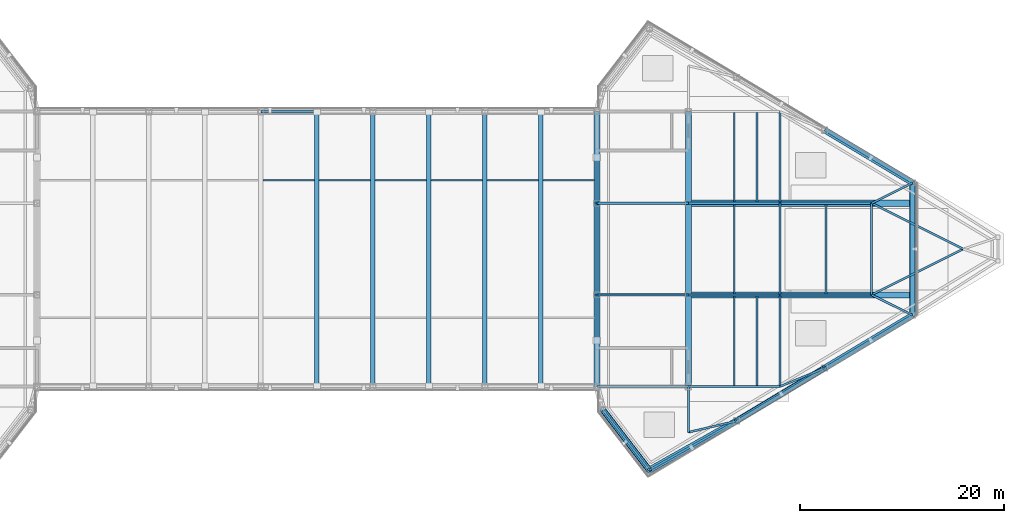
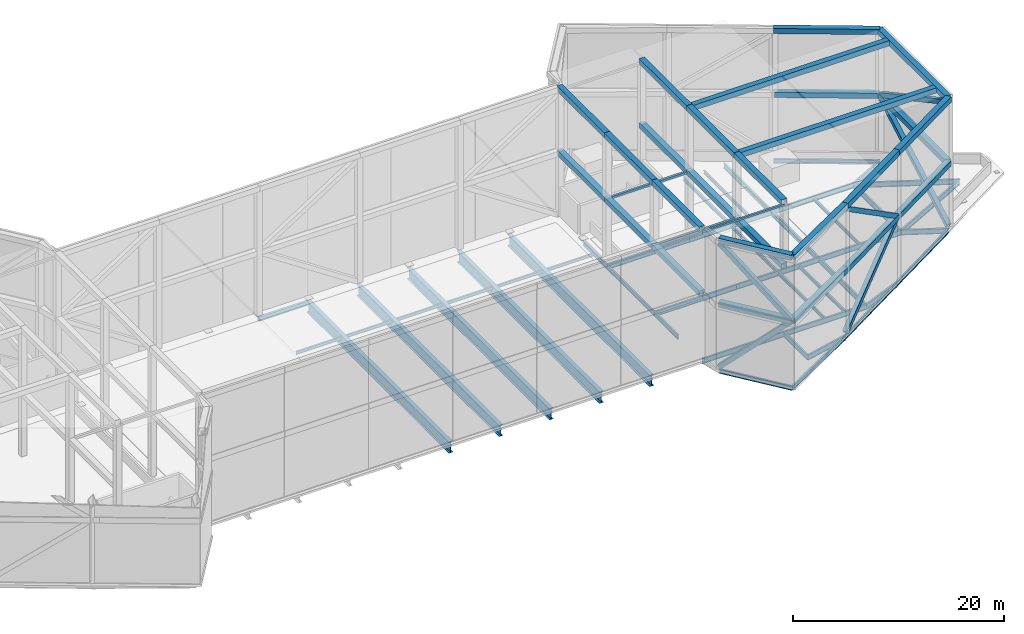
# One storey, part 5 of 16: 71 beams, 9 members.
"""IFC4 building model written with IfcOpenShell, lengths in metres."""

import ifcopenshell
import ifcopenshell.guid

model = None  # the IFC model being written
_history = None  # IfcOwnerHistory: only IFC2X3 demands one
_inside = {}  # id of a spatial element -> (the spatial element, [elements in it])
_under = {}  # id of a project, library or spatial element -> (it, [spatial elements below it])
_declared = {}  # id of a project -> (the project, [libraries it declares])
_typed = {}  # id of a type object -> (the type object, [elements of that type])
_made_of = {}  # id of a material, layer set ... -> (it, [elements and type objects made of it])


def new_model(schema):
    """Start an empty IFC model of exactly this schema.

    Asked for "IFC4X3", IfcOpenShell would pick the latest addendum, in which some entities
    have other attributes; the version numbers below select the first issue.
    IFC2X3 requires an IfcOwnerHistory on every rooted entity: one is made here for all.
    """
    global model, _history
    if schema == "IFC4X3":
        model = ifcopenshell.file(schema_version=(4, 3, 0, 0))
    else:
        model = ifcopenshell.file(schema=schema)
    _inside.clear()
    _under.clear()
    _declared.clear()
    _typed.clear()
    _made_of.clear()
    _history = None
    if model.schema == "IFC2X3":
        org = make("IfcOrganization", Name="unknown")
        user = make(
            "IfcPersonAndOrganization",
            ThePerson=make("IfcPerson", FamilyName="unknown"),
            TheOrganization=org,
        )
        app = make(
            "IfcApplication",
            ApplicationDeveloper=org,
            Version="unknown",
            ApplicationFullName="unknown",
            ApplicationIdentifier="unknown",
        )
        _history = make(
            "IfcOwnerHistory",
            OwningUser=user,
            OwningApplication=app,
            ChangeAction="ADDED",
            CreationDate=0,
        )
    return model


def make(cls, **values):
    """One entity of the class cls with the attributes given. An attribute that is None is left unset."""
    return model.create_entity(
        cls, **{name: value for name, value in values.items() if value is not None}
    )


def rooted(cls, **values):
    """An entity with a GlobalId (a new one), such as an element, a storey or a relation."""
    return make(cls, GlobalId=ifcopenshell.guid.new(), OwnerHistory=_history, **values)


def si_unit(unit_type, name, prefix=None):
    """IfcSIUnit, for example si_unit("LENGTHUNIT", "METRE", prefix="MILLI")."""
    return make("IfcSIUnit", UnitType=unit_type, Prefix=prefix, Name=name)


def assignment(units):
    """IfcUnitAssignment: the units of a project."""
    return None if units is None else make("IfcUnitAssignment", Units=units)


def point(xyz):
    """IfcCartesianPoint."""
    return None if xyz is None else make("IfcCartesianPoint", Coordinates=xyz)


def direction(xyz):
    """IfcDirection."""
    return None if xyz is None else make("IfcDirection", DirectionRatios=xyz)


def frame(location, z_axis=None, x_axis=None):
    """IfcAxis2Placement3D, a coordinate frame: its origin and axes. An axis left out is left unset."""
    return make(
        "IfcAxis2Placement3D",
        Location=point(location),
        Axis=direction(z_axis),
        RefDirection=direction(x_axis),
    )


def frame_2d(location, x_axis=None):
    """IfcAxis2Placement2D, a coordinate frame in the plane: its origin and x axis."""
    return make(
        "IfcAxis2Placement2D", Location=point(location), RefDirection=direction(x_axis)
    )


def origin():
    """The frame at (0, 0, 0) with its axes left unset."""
    return frame((0.0, 0.0, 0.0))


def origin_2d():
    """The frame at (0, 0) in the plane with its x axis left unset."""
    return frame_2d((0.0, 0.0))


def place(relative_to, where):
    """IfcLocalPlacement: puts the frame where relative to a parent placement (None: the world)."""
    return make(
        "IfcLocalPlacement", PlacementRelTo=relative_to, RelativePlacement=where
    )


def context(
    kind, dimensions, precision=None, world=None, true_north=None, identifier=None
):
    """IfcGeometricRepresentationContext, for example the 3D "Model" context."""
    return make(
        "IfcGeometricRepresentationContext",
        ContextIdentifier=identifier,
        ContextType=kind,
        CoordinateSpaceDimension=dimensions,
        Precision=precision,
        WorldCoordinateSystem=world,
        TrueNorth=true_north,
    )


def subcontext(parent, identifier, kind, view, scale=None):
    """IfcGeometricRepresentationSubContext, for example "Body" below "Model"."""
    return make(
        "IfcGeometricRepresentationSubContext",
        ContextIdentifier=identifier,
        ContextType=kind,
        ParentContext=parent,
        TargetScale=scale,
        TargetView=view,
    )


def project(units=None, contexts=None):
    """IfcProject with its units and contexts."""
    return rooted(
        "IfcProject",
        Name="project",
        RepresentationContexts=contexts,
        UnitsInContext=assignment(units),
    )


def spatial(cls, under=None, at=None, **own):
    """A site, building, storey or space (cls), placed at a placement, below another one or the project."""
    s = rooted(cls, ObjectPlacement=at, **own)
    if under is not None:
        _under.setdefault(under.id(), (under, []))[1].append(s)
    return s


def profile(cls, at=None, kind="AREA", **sizes):
    """A parametric profile (cls). Its sizes go by their IFC names, for example OverallWidth=200.0."""
    return make(cls, ProfileType=kind, Position=at, **sizes)


def hollow_rectangle(**sizes):
    """IfcRectangleHollowProfileDef."""
    return profile("IfcRectangleHollowProfileDef", **sizes)


def i_section(**sizes):
    """IfcIShapeProfileDef."""
    return profile("IfcIShapeProfileDef", **sizes)


def extrude(swept, where, along, depth):
    """IfcExtrudedAreaSolid: the profile swept, set in the frame where, extruded along a direction by depth."""
    return make(
        "IfcExtrudedAreaSolid",
        SweptArea=swept,
        Position=where,
        ExtrudedDirection=direction(along),
        Depth=depth,
    )


def shape(context_of_items, identifier, shape_type, items):
    """IfcShapeRepresentation: the items that make up one representation, for example the "Body"."""
    return make(
        "IfcShapeRepresentation",
        ContextOfItems=context_of_items,
        RepresentationIdentifier=identifier,
        RepresentationType=shape_type,
        Items=items,
    )


def source(mapping_origin, context_of_items, identifier, shape_type, items):
    """IfcRepresentationMap: a shape defined once, which mapped items show again and again."""
    return make(
        "IfcRepresentationMap",
        MappingOrigin=mapping_origin,
        MappedRepresentation=shape(context_of_items, identifier, shape_type, items),
    )


def transform(
    local_origin,
    x_axis=None,
    y_axis=None,
    z_axis=None,
    scale=None,
    scale2=None,
    scale3=None,
    uniform=True,
):
    """IfcCartesianTransformationOperator3D, or its non-uniform kind. x_axis, y_axis, z_axis: its Axis1, 2, 3."""
    if uniform:
        return make(
            "IfcCartesianTransformationOperator3D",
            Axis1=direction(x_axis),
            Axis2=direction(y_axis),
            LocalOrigin=point(local_origin),
            Scale=scale,
            Axis3=direction(z_axis),
        )
    return make(
        "IfcCartesianTransformationOperator3DnonUniform",
        Axis1=direction(x_axis),
        Axis2=direction(y_axis),
        LocalOrigin=point(local_origin),
        Scale=scale,
        Axis3=direction(z_axis),
        Scale2=scale2,
        Scale3=scale3,
    )


def mapped(mapping_source, mapping_target):
    """IfcMappedItem: shows the shape of a source again, moved by a transform."""
    return make(
        "IfcMappedItem", MappingSource=mapping_source, MappingTarget=mapping_target
    )


def material(Name=None, Category=None):
    """IfcMaterial."""
    return make("IfcMaterial", Name=Name, Category=Category)


def material_profile(
    of_material, cross_section, Name=None, Category=None, Priority=None
):
    """IfcMaterialProfile: a cross section and its material."""
    return make(
        "IfcMaterialProfile",
        Name=Name,
        Material=of_material,
        Profile=cross_section,
        Priority=Priority,
        Category=Category,
    )


def profile_set(profiles, Name=None, composite=None):
    """IfcMaterialProfileSet."""
    return make(
        "IfcMaterialProfileSet",
        Name=Name,
        MaterialProfiles=profiles,
        CompositeProfile=composite,
    )


def made_of(thing, what):
    """Note that an element or type object is made of a material, layer set ...; save() writes the relation."""
    if what is not None:
        _made_of.setdefault(what.id(), (what, []))[1].append(thing)
    return thing


def type_object(cls, material=None, **own):
    """A type object (cls), such as IfcWallType, which elements share."""
    return made_of(rooted(cls, **own), material)


def type_shapes(of_type, sources):
    """Give a type object the sources (RepresentationMaps) that its elements show as mapped items."""
    of_type.RepresentationMaps = sources


def element(
    cls,
    number,
    at=None,
    inside=None,
    cuts=None,
    type_object=None,
    material=None,
    context=None,
    identifier="Body",
    shape_type=None,
    held_by="IfcProductDefinitionShape",
    body=None,
    shapes=None,
    **own,
):
    """One element of the class cls, such as IfcWall. Its Tag is "e" and its number.

    at: its placement. inside: the storey or other place that contains it. cuts: it is an
    opening in that element (IfcRelVoidsElement). A single representation is given by context,
    identifier, shape_type and body (its items); several are given by shapes. held_by: the class
    of the entity that holds the representations. save() writes the other relations.
    """
    e = rooted(cls, Tag="e%d" % number, ObjectPlacement=at, **own)
    if body is not None:
        shapes = [shape(context, identifier, shape_type, body)]
    if shapes is not None:
        e.Representation = make(held_by, Representations=shapes)
    if inside is not None:
        _inside.setdefault(inside.id(), (inside, []))[1].append(e)
    if cuts is not None:
        rooted(
            "IfcRelVoidsElement", RelatingBuildingElement=cuts, RelatedOpeningElement=e
        )
    if type_object is not None:
        _typed.setdefault(type_object.id(), (type_object, []))[1].append(e)
    return made_of(e, material)


def aggregate(whole, parts):
    """IfcRelAggregates: a whole, such as a stair, and the parts it consists of."""
    return rooted("IfcRelAggregates", RelatingObject=whole, RelatedObjects=parts)


def save(model, path):
    """Write the relations noted so far, then the file.

    IfcRelAggregates (storeys below a building ...), IfcRelContainedInSpatialStructure (elements
    in a storey), IfcRelDefinesByType, IfcRelAssociatesMaterial and IfcRelDeclares: one each for
    every whole, place, type object, material and project.
    """
    for whole, parts in _under.values():
        aggregate(whole, parts)
    for where, things in _inside.values():
        rooted(
            "IfcRelContainedInSpatialStructure",
            RelatedElements=things,
            RelatingStructure=where,
        )
    for kind, things in _typed.values():
        rooted("IfcRelDefinesByType", RelatedObjects=things, RelatingType=kind)
    for what, things in _made_of.values():
        rooted("IfcRelAssociatesMaterial", RelatedObjects=things, RelatingMaterial=what)
    for by, libraries in _declared.values():
        rooted("IfcRelDeclares", RelatingContext=by, RelatedDefinitions=libraries)
    model.write(path)


model = new_model("IFC4")

# Units and contexts
model_context = context("Model", 3, precision=1e-05, world=origin(), true_north=direction((0.0, 1.0)))
body_context = subcontext(model_context, "Body", "Model", "MODEL_VIEW")
ifc_project = project(units=[si_unit("LENGTHUNIT", "METRE"), si_unit("AREAUNIT", "SQUARE_METRE"), si_unit("VOLUMEUNIT", "CUBIC_METRE"), si_unit("PLANEANGLEUNIT", "RADIAN"), si_unit("MASSUNIT", "GRAM", prefix="KILO")], contexts=[model_context])

# Site, building, storey
site_placement = place(None, origin())
site = spatial("IfcSite", under=ifc_project, at=site_placement, CompositionType="ELEMENT")
building_placement = place(site_placement, origin())
building = spatial("IfcBuilding", under=site, at=building_placement, Name="Seokmaru Belvedere", CompositionType="ELEMENT")
storey_placement = place(building_placement, frame((0.0, 0.0, 279.0)))
storey = spatial("IfcBuildingStorey", under=building, at=storey_placement, Name="RF", CompositionType="ELEMENT", Elevation=279.0)

# Beams
ifc_material_1 = material(Name="Steel SM355 (355 MPa)", Category="steel")
ifc_material_profile_1 = material_profile(ifc_material_1, i_section(OverallWidth=0.199951171875, OverallDepth=0.5, WebThickness=0.010009765625, FlangeThickness=0.01611328125, at=origin_2d()), Name="H-500x200x10x16")
ifc_profile_set_1 = profile_set([ifc_material_profile_1], Name="Steel SM355 (355 MPa)")
beam_type_1 = type_object("IfcBeamType", Name="Perimeter Spandrel Beam H-500", PredefinedType="SPANDREL", material=ifc_profile_set_1)
shared_shape_1 = source(origin(), body_context, "Body", "SweptSolid", [
    extrude(i_section(OverallWidth=0.199951171875, OverallDepth=0.5, WebThickness=0.010009765625, FlangeThickness=0.01611328125, at=origin_2d()), origin(), (0.0, 0.0, 1.0), 4.5),
])
for number, where, z_axis, x_axis, name in (
    (1, (27.5, -9.0, -0.530029296875), (0.0, 1.0, 0.0), (-1.0, 0.0, 0.0), "RF E Portal Spine Spandrel 2"),
    (2, (27.5, 4.5, -0.530029296875), (0.0, 1.0, 0.0), (-1.0, 0.0, 0.0), "RF E Portal Spine Spandrel 4"),
):
    element("IfcBeam", number, at=place(storey_placement, frame(where, z_axis=z_axis, x_axis=x_axis)), inside=storey, type_object=beam_type_1, Name=name, PredefinedType="SPANDREL", context=body_context, shape_type="MappedRepresentation", body=[
        mapped(shared_shape_1, transform((0.0, 0.0, 0.0), scale=1.0)),
    ])
shared_shape_2 = source(origin(), body_context, "Body", "SweptSolid", [
    extrude(i_section(OverallWidth=0.199951171875, OverallDepth=0.5, WebThickness=0.010009765625, FlangeThickness=0.01611328125, at=origin_2d()), origin(), (0.0, 0.0, 1.0), 9.0),
])
beam_1_placement = place(storey_placement, frame((27.5, -4.5, -0.530029296875), z_axis=(0.0, 1.0, 0.0), x_axis=(-1.0, 0.0, 0.0)))
element("IfcBeam", 3, at=beam_1_placement, inside=storey, type_object=beam_type_1, Name="RF E Portal Spine Spandrel 3", PredefinedType="SPANDREL", context=body_context, shape_type="MappedRepresentation", body=[
    mapped(shared_shape_2, transform((0.0, 0.0, 0.0), scale=1.0)),
])
ifc_material_profile_2 = material_profile(ifc_material_1, i_section(OverallWidth=0.199951171875, OverallDepth=0.60009765625, WebThickness=0.010986328125, FlangeThickness=0.01708984375, at=origin_2d()), Name="H-600x200x11x17")
ifc_profile_set_2 = profile_set([ifc_material_profile_2], Name="Steel SM355 (355 MPa)")
beam_type_2 = type_object("IfcBeamType", Name="Primary Floor Girder H-600", PredefinedType="BEAM", material=ifc_profile_set_2)
shared_shape_3 = source(origin(), body_context, "Body", "SweptSolid", [
    extrude(i_section(OverallWidth=0.199951171875, OverallDepth=0.60009765625, WebThickness=0.010986328125, FlangeThickness=0.01708984375, at=origin_2d()), origin(), (0.0, 0.0, 1.0), 9.0),
])
for number, where, z_axis, x_axis, name in (
    (4, (45.5, -13.5, -0.580078125), (0.0, 1.0, 0.0), (-1.0, 0.0, 0.0), "RF E Interior Grid Girder 1"),
    (5, (45.5, -4.5, -0.580078125), (0.0, 1.0, 0.0), (-1.0, 0.0, 0.0), "RF E Interior Grid Girder 2"),
    (6, (45.5, 4.5, -0.580078125), (0.0, 1.0, 0.0), (-1.0, 0.0, 0.0), "RF E Interior Grid Girder 3"),
    (7, (27.5, -13.5, -0.580078125), (1.0, 0.0, 0.0), (0.0, 1.0, 0.0), "RF E Core Tie Girder 1"),
    (8, (36.5, -13.5, -0.580078125), (1.0, 0.0, 0.0), (0.0, 1.0, 0.0), "RF E Wing Primary Girder 1"),
    (9, (27.5, -4.5, -0.580078125), (1.0, 0.0, 0.0), (0.0, 1.0, 0.0), "RF E Core Tie Girder 2"),
    (10, (36.5, -4.5, -0.580078125), (1.0, 0.0, 0.0), (0.0, 1.0, 0.0), "RF E Wing Primary Girder 2"),
    (11, (27.5, 4.5, -0.580078125), (1.0, 0.0, 0.0), (0.0, 1.0, 0.0), "RF E Core Tie Girder 3"),
    (12, (36.5, 4.5, -0.580078125), (1.0, 0.0, 0.0), (0.0, 1.0, 0.0), "RF E Wing Primary Girder 3"),
    (13, (45.5, -4.5, -0.580078125), (1.0, 0.0, 0.0), (0.0, 1.0, 0.0), "RF E Outer Wing Girder 1"),
    (14, (45.5, 4.5, -0.580078125), (1.0, 0.0, 0.0), (0.0, 1.0, 0.0), "RF E Outer Wing Girder 2"),
    (15, (54.5, -4.5, -0.580078125), (0.0, 1.0, 0.0), (-1.0, 0.0, 0.0), "RF E Apex Frame Girder"),
):
    element("IfcBeam", number, at=place(storey_placement, frame(where, z_axis=z_axis, x_axis=x_axis)), inside=storey, type_object=beam_type_2, Name=name, PredefinedType="BEAM", context=body_context, shape_type="MappedRepresentation", body=[
        mapped(shared_shape_3, transform((0.0, 0.0, 0.0), scale=1.0)),
    ])
shared_shape_4 = source(origin(), body_context, "Body", "SweptSolid", [
    extrude(i_section(OverallWidth=0.199951171875, OverallDepth=0.60009765625, WebThickness=0.010986328125, FlangeThickness=0.01708984375, at=origin_2d()), origin(), (0.0, 0.0, 1.0), 10.062255859375),
])
for number, where, z_axis, x_axis, name in (
    (16, (54.5, -4.5, -0.580078125), (0.894427191, 0.4472135955, 0.0), (-0.4472135955, 0.894427191, 0.0), "RF E Apex Converging Girder 1"),
    (17, (54.5, 4.5, -0.580078125), (0.894427191, -0.4472135955, 0.0), (0.4472135955, 0.894427191, 0.0), "RF E Apex Converging Girder 2"),
):
    element("IfcBeam", number, at=place(storey_placement, frame(where, z_axis=z_axis, x_axis=x_axis)), inside=storey, type_object=beam_type_2, Name=name, PredefinedType="BEAM", context=body_context, shape_type="MappedRepresentation", body=[
        mapped(shared_shape_4, transform((0.0, 0.0, 0.0), scale=1.0)),
    ])
ifc_material_profile_3 = material_profile(ifc_material_1, i_section(OverallWidth=0.18505859375, OverallDepth=0.389892578125, WebThickness=0.008056640625, FlangeThickness=0.011962890625, at=origin_2d()), Name="H-390x185x8x12")
ifc_profile_set_3 = profile_set([ifc_material_profile_3], Name="Steel SM355 (355 MPa)")
beam_type_3 = type_object("IfcBeamType", Name="Secondary Floor Joist H-350", PredefinedType="JOIST", material=ifc_profile_set_3)
shared_shape_5 = source(origin(), body_context, "Body", "SweptSolid", [
    extrude(i_section(OverallWidth=0.18505859375, OverallDepth=0.389892578125, WebThickness=0.008056640625, FlangeThickness=0.011962890625, at=origin_2d()), origin(), (0.0, 0.0, 1.0), 8.7900390625),
])
type_shapes(beam_type_3, [shared_shape_5])
for number, where, z_axis, x_axis, name in (
    (18, (43.25, -13.39501953125, -0.47509765625), (0.0, 1.0, 0.0), (-1.0, 0.0, 0.0), "RF E Wing Inner Secondary Joist 1"),
    (19, (43.25, 4.60498046875, -0.47509765625), (0.0, 1.0, 0.0), (-1.0, 0.0, 0.0), "RF E Wing Inner Secondary Joist 2"),
    (20, (41.0, -13.39501953125, -0.47509765625), (0.0, 1.0, 0.0), (-1.0, 0.0, 0.0), "RF E Secondary Floor Joist 1"),
    (21, (41.0, -4.39501953125, -0.47509765625), (0.0, 1.0, 0.0), (-1.0, 0.0, 0.0), "RF E Secondary Floor Joist 2"),
    (22, (41.0, 4.60498046875, -0.47509765625), (0.0, 1.0, 0.0), (-1.0, 0.0, 0.0), "RF E Secondary Floor Joist 3"),
    (23, (50.0, -4.39501953125, -0.47509765625), (0.0, 1.0, 0.0), (-1.0, 0.0, 0.0), "RF E Outer Bay Secondary Joist"),
):
    element("IfcBeam", number, at=place(storey_placement, frame(where, z_axis=z_axis, x_axis=x_axis)), inside=storey, type_object=beam_type_3, Name=name, PredefinedType="JOIST", context=body_context, shape_type="MappedRepresentation", body=[
        mapped(shared_shape_5, transform((0.0, 0.0, 0.0), scale=1.0)),
    ])
shared_shape_6 = source(origin(), body_context, "Body", "SweptSolid", [
    extrude(i_section(OverallWidth=0.199951171875, OverallDepth=0.60009765625, WebThickness=0.010986328125, FlangeThickness=0.01708984375, at=origin_2d()), origin(), (0.0, 0.0, 1.0), 4.5),
])
beam_2_placement = place(storey_placement, frame((36.5, -18.0, -0.580078125), z_axis=(0.0, 1.0, 0.0), x_axis=(-1.0, 0.0, 0.0)))
element("IfcBeam", 24, at=beam_2_placement, inside=storey, type_object=beam_type_2, Name="RF E Core Shoulder Girder S", PredefinedType="BEAM", context=body_context, shape_type="MappedRepresentation", body=[
    mapped(shared_shape_6, transform((0.0, 0.0, 0.0), scale=1.0)),
])
shared_shape_7 = source(origin(), body_context, "Body", "SweptSolid", [
    extrude(i_section(OverallWidth=0.199951171875, OverallDepth=0.5, WebThickness=0.010009765625, FlangeThickness=0.01611328125, at=origin_2d()), origin(), (0.0, 0.0, 1.0), 9.842041015625),
])
beam_3_placement = place(storey_placement, frame((32.649658203125, -21.71044921875, -0.530029296875), z_axis=(0.871782151818, 0.489893743349, 0.0), x_axis=(-0.489893743349, 0.871782151818, 0.0)))
element("IfcBeam", 25, at=beam_3_placement, inside=storey, type_object=beam_type_1, Name="RF E Faceted Flank Spandrel S-1", PredefinedType="SPANDREL", context=body_context, shape_type="MappedRepresentation", body=[
    mapped(shared_shape_7, transform((0.0, 0.0, 0.0), scale=1.0)),
])
shared_shape_8 = source(origin(), body_context, "Body", "SweptSolid", [
    extrude(i_section(OverallWidth=0.199951171875, OverallDepth=0.5, WebThickness=0.010009765625, FlangeThickness=0.01611328125, at=origin_2d()), origin(), (0.0, 0.0, 1.0), 10.087646484375),
])
for number, where, z_axis, x_axis, name in (
    (26, (41.229736328125, -16.888916015625, -0.530029296875), (0.857499332045, 0.514485078056, 0.0), (-0.514485078056, 0.857499332045, 0.0), "RF E Faceted Flank Spandrel S-2"),
    (27, (49.8798828125, -11.698974609375, -0.530029296875), (0.857488654804, 0.514502873542, 0.0), (-0.514502873542, 0.857488654804, 0.0), "RF E Faceted Flank Spandrel S-3"),
    (28, (49.8798828125, 11.698974609375, -0.530029296875), (0.857488654804, -0.514502873542, 0.0), (0.514502873542, 0.857488654804, 0.0), "RF E Faceted Flank Spandrel N-3"),
):
    element("IfcBeam", number, at=place(storey_placement, frame(where, z_axis=z_axis, x_axis=x_axis)), inside=storey, type_object=beam_type_1, Name=name, PredefinedType="SPANDREL", context=body_context, shape_type="MappedRepresentation", body=[
        mapped(shared_shape_8, transform((0.0, 0.0, 0.0), scale=1.0)),
    ])
shared_shape_9 = source(origin(), body_context, "Body", "SweptSolid", [
    extrude(i_section(OverallWidth=0.199951171875, OverallDepth=0.5, WebThickness=0.010009765625, FlangeThickness=0.01611328125, at=origin_2d()), origin(), (0.0, 0.0, 1.0), 7.4619140625),
])
type_shapes(beam_type_1, [shared_shape_1, shared_shape_2, shared_shape_7, shared_shape_8, shared_shape_9])
beam_4_placement = place(storey_placement, frame((32.649658203125, -21.71044921875, -0.530029296875), z_axis=(-0.609702854945, 0.792630070507, 0.0), x_axis=(-0.792630070507, -0.609702854945, 0.0)))
element("IfcBeam", 29, at=beam_4_placement, inside=storey, type_object=beam_type_1, Name="RF E Shoulder Chamfer Spandrel S", PredefinedType="SPANDREL", context=body_context, shape_type="MappedRepresentation", body=[
    mapped(shared_shape_9, transform((0.0, 0.0, 0.0), scale=1.0)),
])
shared_shape_10 = source(origin(), body_context, "Body", "SweptSolid", [
    extrude(i_section(OverallWidth=0.199951171875, OverallDepth=0.60009765625, WebThickness=0.010986328125, FlangeThickness=0.01708984375, at=origin_2d()), origin(), (0.0, 0.0, 1.0), 4.8583984375),
])
beam_5_placement = place(storey_placement, frame((41.229736328125, -16.888916015625, -0.580078125), z_axis=(-0.97349948295, -0.228689214211, 0.0), x_axis=(0.228689214211, -0.97349948295, 0.0)))
element("IfcBeam", 30, at=beam_5_placement, inside=storey, type_object=beam_type_2, Name="RF E Flank Radial Floor Girder S-1", PredefinedType="BEAM", context=body_context, shape_type="MappedRepresentation", body=[
    mapped(shared_shape_10, transform((0.0, 0.0, 0.0), scale=1.0)),
])
shared_shape_11 = source(origin(), body_context, "Body", "SweptSolid", [
    extrude(i_section(OverallWidth=0.199951171875, OverallDepth=0.60009765625, WebThickness=0.010986328125, FlangeThickness=0.01708984375, at=origin_2d()), origin(), (0.0, 0.0, 1.0), 4.73583984375),
])
beam_6_placement = place(storey_placement, frame((49.8798828125, -11.698974609375, -0.580078125), z_axis=(-0.924860562953, -0.380306375301, 0.0), x_axis=(0.380306375301, -0.924860562953, 0.0)))
element("IfcBeam", 31, at=beam_6_placement, inside=storey, type_object=beam_type_2, Name="RF E Flank Radial Floor Girder S-2", PredefinedType="BEAM", context=body_context, shape_type="MappedRepresentation", body=[
    mapped(shared_shape_11, transform((0.0, 0.0, 0.0), scale=1.0)),
])
shared_shape_12 = source(origin(), body_context, "Body", "SweptSolid", [
    extrude(i_section(OverallWidth=0.199951171875, OverallDepth=0.60009765625, WebThickness=0.010986328125, FlangeThickness=0.01708984375, at=origin_2d()), origin(), (0.0, 0.0, 1.0), 4.5029296875),
])
type_shapes(beam_type_2, [shared_shape_3, shared_shape_4, shared_shape_6, shared_shape_10, shared_shape_11, shared_shape_12])
for number, where, z_axis, x_axis, name in (
    (32, (58.530029296875, -6.5087890625, -0.580078125), (-0.894979532585, 0.446107202648, 0.0), (-0.446107202648, -0.894979532585, 0.0), "RF E Flank Radial Floor Girder S-3"),
    (33, (58.530029296875, 6.5087890625, -0.580078125), (-0.894979532585, -0.446107202648, 0.0), (0.446107202648, -0.894979532585, 0.0), "RF E Flank Radial Floor Girder N-3"),
):
    element("IfcBeam", number, at=place(storey_placement, frame(where, z_axis=z_axis, x_axis=x_axis)), inside=storey, type_object=beam_type_2, Name=name, PredefinedType="BEAM", context=body_context, shape_type="MappedRepresentation", body=[
        mapped(shared_shape_12, transform((0.0, 0.0, 0.0), scale=1.0)),
    ])
ifc_material_profile_4 = material_profile(ifc_material_1, hollow_rectangle(XDim=0.25, YDim=0.5, WallThickness=0.013916015625, at=origin_2d()), Name="RHS-500x250x14")
ifc_profile_set_4 = profile_set([ifc_material_profile_4], Name="Steel SM355 (355 MPa)")
beam_type_4 = type_object("IfcBeamType", Name="Bridge Edge Spandrel RHS-500", PredefinedType="SPANDREL", material=ifc_profile_set_4)
shared_shape_13 = source(origin(), body_context, "Body", "SweptSolid", [
    extrude(hollow_rectangle(XDim=0.25, YDim=0.5, WallThickness=0.013916015625, at=origin_2d()), origin(), (0.0, 0.0, 1.0), 5.5),
])
type_shapes(beam_type_4, [shared_shape_13])
beam_7_placement = place(storey_placement, frame((-5.5, 13.5, -0.530029296875), z_axis=(1.0, 0.0, 0.0), x_axis=(0.0, 1.0, 0.0)))
element("IfcBeam", 34, at=beam_7_placement, inside=storey, type_object=beam_type_4, Name="RF Sky-Gate Bridge Edge Girder N-05", PredefinedType="SPANDREL", context=body_context, shape_type="MappedRepresentation", body=[
    mapped(shared_shape_13, transform((0.0, 0.0, 0.0), scale=1.0)),
])
ifc_material_2 = material(Name="Steel HSA650 (650 MPa)", Category="steel")
ifc_material_profile_5 = material_profile(ifc_material_2, i_section(OverallWidth=0.449951171875, OverallDepth=1.300048828125, WebThickness=0.02197265625, FlangeThickness=0.0380859375, at=origin_2d()), Name="BH-1300x450x22x38")
ifc_profile_set_5 = profile_set([ifc_material_profile_5], Name="Steel HSA650 (650 MPa)")
beam_type_5 = type_object("IfcBeamType", Name="Observatory Long-Span Roof Girder BH-1300", PredefinedType="BEAM", material=ifc_profile_set_5)
shared_shape_14 = source(origin(), body_context, "Body", "SweptSolid", [
    extrude(i_section(OverallWidth=0.449951171875, OverallDepth=1.300048828125, WebThickness=0.02197265625, FlangeThickness=0.0380859375, at=origin_2d()), origin(), (0.0, 0.0, 1.0), 27.0),
])
type_shapes(beam_type_5, [shared_shape_14])
for number, where, z_axis, x_axis, name in (
    (35, (0.0, -13.5, -0.929931640625), (0.0, 1.0, 0.0), (-1.0, 0.0, 0.0), "RF Sky-Gate Transverse Girder 05"),
    (36, (5.5, -13.5, -0.929931640625), (0.0, 1.0, 0.0), (-1.0, 0.0, 0.0), "RF Sky-Gate Transverse Girder 06"),
    (37, (11.0, -13.5, -0.929931640625), (0.0, 1.0, 0.0), (-1.0, 0.0, 0.0), "RF Sky-Gate Transverse Girder 07"),
    (38, (16.5, -13.5, -0.929931640625), (0.0, 1.0, 0.0), (-1.0, 0.0, 0.0), "RF Sky-Gate Transverse Girder 08"),
    (39, (22.0, -13.5, -0.929931640625), (0.0, 1.0, 0.0), (-1.0, 0.0, 0.0), "RF Sky-Gate Transverse Girder 09"),
):
    element("IfcBeam", number, at=place(storey_placement, frame(where, z_axis=z_axis, x_axis=x_axis)), inside=storey, type_object=beam_type_5, Name=name, PredefinedType="BEAM", context=body_context, shape_type="MappedRepresentation", body=[
        mapped(shared_shape_14, transform((0.0, 0.0, 0.0), scale=1.0)),
    ])
ifc_material_profile_6 = material_profile(ifc_material_1, i_section(OverallWidth=0.175048828125, OverallDepth=0.35009765625, WebThickness=0.007080078125, FlangeThickness=0.010986328125, at=origin_2d()), Name="H-350x175x7x11")
ifc_profile_set_6 = profile_set([ifc_material_profile_6], Name="Steel SM355 (355 MPa)")
beam_type_6 = type_object("IfcBeamType", Name="Secondary Floor Joist H-300", PredefinedType="JOIST", material=ifc_profile_set_6)
shared_shape_15 = source(origin(), body_context, "Body", "SweptSolid", [
    extrude(i_section(OverallWidth=0.175048828125, OverallDepth=0.35009765625, WebThickness=0.007080078125, FlangeThickness=0.010986328125, at=origin_2d()), origin(), (0.0, 0.0, 1.0), 5.0400390625),
])
type_shapes(beam_type_6, [shared_shape_15])
for number, where, z_axis, x_axis, name in (
    (40, (-5.27001953125, 6.75, -0.455078125), (1.0, 0.0, 0.0), (0.0, 1.0, 0.0), "RF Sky-Gate Secondary Joist N-05"),
    (41, (0.22998046875, 6.75, -0.455078125), (1.0, 0.0, 0.0), (0.0, 1.0, 0.0), "RF Sky-Gate Secondary Joist N-06"),
    (42, (5.72998046875, 6.75, -0.455078125), (1.0, 0.0, 0.0), (0.0, 1.0, 0.0), "RF Sky-Gate Secondary Joist N-07"),
    (43, (11.22998046875, 6.75, -0.455078125), (1.0, 0.0, 0.0), (0.0, 1.0, 0.0), "RF Sky-Gate Secondary Joist N-08"),
    (44, (16.72998046875, 6.75, -0.455078125), (1.0, 0.0, 0.0), (0.0, 1.0, 0.0), "RF Sky-Gate Secondary Joist N-09"),
    (45, (22.22998046875, 6.75, -0.455078125), (1.0, 0.0, 0.0), (0.0, 1.0, 0.0), "RF Sky-Gate Secondary Joist N-10"),
):
    element("IfcBeam", number, at=place(storey_placement, frame(where, z_axis=z_axis, x_axis=x_axis)), inside=storey, type_object=beam_type_6, Name=name, PredefinedType="JOIST", context=body_context, shape_type="MappedRepresentation", body=[
        mapped(shared_shape_15, transform((0.0, 0.0, 0.0), scale=1.0)),
    ])
ifc_material_profile_7 = material_profile(ifc_material_1, hollow_rectangle(XDim=0.60009765625, YDim=0.60009765625, WallThickness=0.02490234375, at=origin_2d()), Name="HSS-600x600x25")
ifc_profile_set_7 = profile_set([ifc_material_profile_7], Name="Steel SM355 (355 MPa)")
beam_type_7 = type_object("IfcBeamType", Name="Crown Structural Ring Beam CROWN FRAME 600x600", PredefinedType="USERDEFINED", material=ifc_profile_set_7)
shared_shape_16 = source(origin(), body_context, "Body", "SweptSolid", [
    extrude(hollow_rectangle(XDim=0.60009765625, YDim=0.60009765625, WallThickness=0.02490234375, at=origin_2d()), origin(), (0.0, 0.0, 1.0), 7.4619140625),
])
for number, where, z_axis, x_axis, name in (
    (46, (28.10009765625, -15.7958984375, 7.300048828125), (0.609702854945, -0.792630070507, 0.0), (0.792630070507, 0.609702854945, 0.0), "RF Crown Chamfered Ring Beam CROWN FRAME T1-07"),
    (47, (28.10009765625, -15.7958984375, 14.699951171875), (0.609702854945, -0.792630070507, 0.0), (0.792630070507, 0.609702854945, 0.0), "RF Crown Chamfered Ring Beam CROWN FRAME T2-07"),
):
    element("IfcBeam", number, at=place(storey_placement, frame(where, z_axis=z_axis, x_axis=x_axis)), inside=storey, type_object=beam_type_7, Name=name, ObjectType="CROWN FRAME", PredefinedType="USERDEFINED", context=body_context, shape_type="MappedRepresentation", body=[
        mapped(shared_shape_16, transform((0.0, 0.0, 0.0), scale=1.0)),
    ])
shared_shape_17 = source(origin(), body_context, "Body", "SweptSolid", [
    extrude(hollow_rectangle(XDim=0.60009765625, YDim=0.60009765625, WallThickness=0.02490234375, at=origin_2d()), origin(), (0.0, 0.0, 1.0), 9.842041015625),
])
for number, where, z_axis, x_axis, name in (
    (48, (32.649658203125, -21.71044921875, 7.300048828125), (0.871782151818, 0.489893743349, 0.0), (-0.489893743349, 0.871782151818, 0.0), "RF Crown Chamfered Ring Beam CROWN FRAME T1-08"),
    (49, (32.649658203125, -21.71044921875, 14.699951171875), (0.871782151818, 0.489893743349, 0.0), (-0.489893743349, 0.871782151818, 0.0), "RF Crown Chamfered Ring Beam CROWN FRAME T2-08"),
):
    element("IfcBeam", number, at=place(storey_placement, frame(where, z_axis=z_axis, x_axis=x_axis)), inside=storey, type_object=beam_type_7, Name=name, ObjectType="CROWN FRAME", PredefinedType="USERDEFINED", context=body_context, shape_type="MappedRepresentation", body=[
        mapped(shared_shape_17, transform((0.0, 0.0, 0.0), scale=1.0)),
    ])
shared_shape_18 = source(origin(), body_context, "Body", "SweptSolid", [
    extrude(hollow_rectangle(XDim=0.60009765625, YDim=0.60009765625, WallThickness=0.02490234375, at=origin_2d()), origin(), (0.0, 0.0, 1.0), 10.087646484375),
])
for number, where, z_axis, x_axis, name in (
    (50, (41.229736328125, -16.888916015625, 7.300048828125), (0.857499332045, 0.514485078056, 0.0), (-0.514485078056, 0.857499332045, 0.0), "RF Crown Chamfered Ring Beam CROWN FRAME T1-09"),
    (51, (49.8798828125, -11.698974609375, 7.300048828125), (0.857488654804, 0.514502873542, 0.0), (-0.514502873542, 0.857488654804, 0.0), "RF Crown Chamfered Ring Beam CROWN FRAME T1-10"),
    (52, (58.530029296875, 6.5087890625, 7.300048828125), (-0.857488654804, 0.514502873542, 0.0), (-0.514502873542, -0.857488654804, 0.0), "RF Crown Chamfered Ring Beam CROWN FRAME T1-12"),
    (53, (41.229736328125, -16.888916015625, 14.699951171875), (0.857499332045, 0.514485078056, 0.0), (-0.514485078056, 0.857499332045, 0.0), "RF Crown Chamfered Ring Beam CROWN FRAME T2-09"),
    (54, (49.8798828125, -11.698974609375, 14.699951171875), (0.857488654804, 0.514502873542, 0.0), (-0.514502873542, 0.857488654804, 0.0), "RF Crown Chamfered Ring Beam CROWN FRAME T2-10"),
    (55, (58.530029296875, 6.5087890625, 14.699951171875), (-0.857488654804, 0.514502873542, 0.0), (-0.514502873542, -0.857488654804, 0.0), "RF Crown Chamfered Ring Beam CROWN FRAME T2-12"),
):
    element("IfcBeam", number, at=place(storey_placement, frame(where, z_axis=z_axis, x_axis=x_axis)), inside=storey, type_object=beam_type_7, Name=name, ObjectType="CROWN FRAME", PredefinedType="USERDEFINED", context=body_context, shape_type="MappedRepresentation", body=[
        mapped(shared_shape_18, transform((0.0, 0.0, 0.0), scale=1.0)),
    ])
shared_shape_19 = source(origin(), body_context, "Body", "SweptSolid", [
    extrude(hollow_rectangle(XDim=0.60009765625, YDim=0.60009765625, WallThickness=0.02490234375, at=origin_2d()), origin(), (0.0, 0.0, 1.0), 13.017578125),
])
for number, where, z_axis, x_axis, name in (
    (56, (58.530029296875, -6.5087890625, 7.300048828125), (0.0, 1.0, 0.0), (-1.0, 0.0, 0.0), "RF Crown Chamfered Ring Beam CROWN FRAME T1-11"),
    (57, (58.530029296875, -6.5087890625, 14.699951171875), (0.0, 1.0, 0.0), (-1.0, 0.0, 0.0), "RF Crown Chamfered Ring Beam CROWN FRAME T2-11"),
):
    element("IfcBeam", number, at=place(storey_placement, frame(where, z_axis=z_axis, x_axis=x_axis)), inside=storey, type_object=beam_type_7, Name=name, ObjectType="CROWN FRAME", PredefinedType="USERDEFINED", context=body_context, shape_type="MappedRepresentation", body=[
        mapped(shared_shape_19, transform((0.0, 0.0, 0.0), scale=1.0)),
    ])
shared_shape_20 = source(origin(), body_context, "Body", "SweptSolid", [
    extrude(hollow_rectangle(XDim=0.60009765625, YDim=0.60009765625, WallThickness=0.02490234375, at=origin_2d()), origin(), (0.0, 0.0, 1.0), 9.0),
])
for number, where, z_axis, x_axis, name in (
    (58, (27.5, -13.5, 7.300048828125), (0.0, 1.0, 0.0), (-1.0, 0.0, 0.0), "RF Crown Cross Tie CROWN FRAME T1-E1-1"),
    (59, (27.5, -4.5, 7.300048828125), (0.0, 1.0, 0.0), (-1.0, 0.0, 0.0), "RF Crown Cross Tie CROWN FRAME T1-E1-2"),
    (60, (27.5, 4.5, 7.300048828125), (0.0, 1.0, 0.0), (-1.0, 0.0, 0.0), "RF Crown Cross Tie CROWN FRAME T1-E1-3"),
    (61, (36.5, -13.5, 7.300048828125), (0.0, 1.0, 0.0), (-1.0, 0.0, 0.0), "RF Crown Cross Tie CROWN FRAME T1-E2-1"),
    (62, (36.5, -4.5, 7.300048828125), (0.0, 1.0, 0.0), (-1.0, 0.0, 0.0), "RF Crown Cross Tie CROWN FRAME T1-E2-2"),
    (63, (36.5, 4.5, 7.300048828125), (0.0, 1.0, 0.0), (-1.0, 0.0, 0.0), "RF Crown Cross Tie CROWN FRAME T1-E2-3"),
    (64, (27.5, -13.5, 14.699951171875), (0.0, 1.0, 0.0), (-1.0, 0.0, 0.0), "RF Crown Cross Tie CROWN FRAME T2-E1-1"),
    (65, (27.5, -4.5, 14.699951171875), (0.0, 1.0, 0.0), (-1.0, 0.0, 0.0), "RF Crown Cross Tie CROWN FRAME T2-E1-2"),
    (66, (27.5, 4.5, 14.699951171875), (0.0, 1.0, 0.0), (-1.0, 0.0, 0.0), "RF Crown Cross Tie CROWN FRAME T2-E1-3"),
    (67, (36.5, -13.5, 14.699951171875), (0.0, 1.0, 0.0), (-1.0, 0.0, 0.0), "RF Crown Cross Tie CROWN FRAME T2-E2-1"),
    (68, (36.5, -4.5, 14.699951171875), (0.0, 1.0, 0.0), (-1.0, 0.0, 0.0), "RF Crown Cross Tie CROWN FRAME T2-E2-2"),
    (69, (36.5, 4.5, 14.699951171875), (0.0, 1.0, 0.0), (-1.0, 0.0, 0.0), "RF Crown Cross Tie CROWN FRAME T2-E2-3"),
):
    element("IfcBeam", number, at=place(storey_placement, frame(where, z_axis=z_axis, x_axis=x_axis)), inside=storey, type_object=beam_type_7, Name=name, ObjectType="CROWN FRAME", PredefinedType="USERDEFINED", context=body_context, shape_type="MappedRepresentation", body=[
        mapped(shared_shape_20, transform((0.0, 0.0, 0.0), scale=1.0)),
    ])

# Members
ifc_material_profile_8 = material_profile(ifc_material_1, hollow_rectangle(XDim=0.5, YDim=0.5, WallThickness=0.02001953125, at=origin_2d()), Name="HSS-500x500x20")
ifc_profile_set_8 = profile_set([ifc_material_profile_8], Name="Steel SM355 (355 MPa)")
member_type_1 = type_object("IfcMemberType", Name="Crown Diagonal Wind Brace CROWN FRAME 500x500", PredefinedType="USERDEFINED", material=ifc_profile_set_8)
shared_shape_21 = source(origin(), body_context, "Body", "SweptSolid", [
    extrude(hollow_rectangle(XDim=0.5, YDim=0.5, WallThickness=0.02001953125, at=origin_2d()), origin(), (0.0, 0.0, 1.0), 10.43896484375),
])
member_1_placement = place(storey_placement, frame((28.10009765625, -15.7958984375, 0.0), z_axis=(0.435826598643, -0.566586272, 0.699310497774), x_axis=(0.792630070507, 0.609702854945, 0.0)))
element("IfcMember", 70, at=member_1_placement, inside=storey, type_object=member_type_1, Name="RF Crown Diagonal Wind Brace CROWN FRAME L-04", ObjectType="CROWN FRAME", PredefinedType="USERDEFINED", context=body_context, shape_type="MappedRepresentation", body=[
    mapped(shared_shape_21, transform((0.0, 0.0, 0.0), scale=1.0)),
])
shared_shape_22 = source(origin(), body_context, "Body", "SweptSolid", [
    extrude(hollow_rectangle(XDim=0.5, YDim=0.5, WallThickness=0.02001953125, at=origin_2d()), origin(), (0.0, 0.0, 1.0), 10.265625),
])
member_2_placement = place(storey_placement, frame((32.649658203125, -21.71044921875, 7.300048828125), z_axis=(-0.443182836434, 0.576149578506, 0.686760974924), x_axis=(-0.792630070507, -0.609702854945, 0.0)))
element("IfcMember", 71, at=member_2_placement, inside=storey, type_object=member_type_1, Name="RF Crown Diagonal Wind Brace CROWN FRAME U-04", ObjectType="CROWN FRAME", PredefinedType="USERDEFINED", context=body_context, shape_type="MappedRepresentation", body=[
    mapped(shared_shape_22, transform((0.0, 0.0, 0.0), scale=1.0)),
])
shared_shape_23 = source(origin(), body_context, "Body", "SweptSolid", [
    extrude(hollow_rectangle(XDim=0.5, YDim=0.5, WallThickness=0.02001953125, at=origin_2d()), origin(), (0.0, 0.0, 1.0), 12.451904296875),
])
member_3_placement = place(storey_placement, frame((41.229736328125, -16.888916015625, 0.0), z_axis=(0.694681673216, 0.416797239966, 0.586257139534), x_axis=(-0.514485078056, 0.857499332045, 0.0)))
element("IfcMember", 72, at=member_3_placement, inside=storey, type_object=member_type_1, Name="RF Crown Diagonal Wind Brace CROWN FRAME L-05", ObjectType="CROWN FRAME", PredefinedType="USERDEFINED", context=body_context, shape_type="MappedRepresentation", body=[
    mapped(shared_shape_23, transform((0.0, 0.0, 0.0), scale=1.0)),
])
shared_shape_24 = source(origin(), body_context, "Body", "SweptSolid", [
    extrude(hollow_rectangle(XDim=0.5, YDim=0.5, WallThickness=0.02001953125, at=origin_2d()), origin(), (0.0, 0.0, 1.0), 12.30712890625),
])
member_4_placement = place(storey_placement, frame((49.8798828125, -11.698974609375, 7.300048828125), z_axis=(-0.702860537679, -0.42170442014, 0.572845918731), x_axis=(0.514485078056, -0.857499332045, 0.0)))
element("IfcMember", 73, at=member_4_placement, inside=storey, type_object=member_type_1, Name="RF Crown Diagonal Wind Brace CROWN FRAME U-05", ObjectType="CROWN FRAME", PredefinedType="USERDEFINED", context=body_context, shape_type="MappedRepresentation", body=[
    mapped(shared_shape_24, transform((0.0, 0.0, 0.0), scale=1.0)),
])
shared_shape_25 = source(origin(), body_context, "Body", "SweptSolid", [
    extrude(hollow_rectangle(XDim=0.5, YDim=0.5, WallThickness=0.02001953125, at=origin_2d()), origin(), (0.0, 0.0, 1.0), 14.9248046875),
])
member_5_placement = place(storey_placement, frame((58.530029296875, -6.5087890625, 0.0), z_axis=(0.0, 0.872214363561, 0.489123812544), x_axis=(-1.0, 0.0, 0.0)))
element("IfcMember", 74, at=member_5_placement, inside=storey, type_object=member_type_1, Name="RF Crown Diagonal Wind Brace CROWN FRAME L-06", ObjectType="CROWN FRAME", PredefinedType="USERDEFINED", context=body_context, shape_type="MappedRepresentation", body=[
    mapped(shared_shape_25, transform((0.0, 0.0, 0.0), scale=1.0)),
])
shared_shape_26 = source(origin(), body_context, "Body", "SweptSolid", [
    extrude(hollow_rectangle(XDim=0.5, YDim=0.5, WallThickness=0.02001953125, at=origin_2d()), origin(), (0.0, 0.0, 1.0), 14.803955078125),
])
type_shapes(member_type_1, [shared_shape_21, shared_shape_22, shared_shape_23, shared_shape_24, shared_shape_25, shared_shape_26])
member_6_placement = place(storey_placement, frame((58.530029296875, 6.5087890625, 7.300048828125), z_axis=(0.0, -0.879324194797, 0.476223645408), x_axis=(1.0, 0.0, 0.0)))
element("IfcMember", 75, at=member_6_placement, inside=storey, type_object=member_type_1, Name="RF Crown Diagonal Wind Brace CROWN FRAME U-06", ObjectType="CROWN FRAME", PredefinedType="USERDEFINED", context=body_context, shape_type="MappedRepresentation", body=[
    mapped(shared_shape_26, transform((0.0, 0.0, 0.0), scale=1.0)),
])
ifc_material_profile_9 = material_profile(ifc_material_1, hollow_rectangle(XDim=0.25, YDim=0.25, WallThickness=0.010009765625, at=origin_2d()), Name="HSS-250x250x10")
ifc_profile_set_9 = profile_set([ifc_material_profile_9], Name="Steel SM355 (355 MPa)")
member_type_2 = type_object("IfcMemberType", Name="Crown Maintenance Walkway Strut HSS-250", PredefinedType="CHORD", material=ifc_profile_set_9)
shared_shape_27 = source(origin(), body_context, "Body", "SweptSolid", [
    extrude(hollow_rectangle(XDim=0.25, YDim=0.25, WallThickness=0.010009765625, at=origin_2d()), origin(), (0.0, 0.0, 1.0), 9.0),
])
type_shapes(member_type_2, [shared_shape_27])
for number, where, z_axis, x_axis, name in (
    (76, (27.5, -4.5, 7.300048828125), (1.0, 0.0, 0.0), (0.0, 1.0, 0.0), "RF Crown Plant Walkway Strut 3"),
    (77, (27.5, 4.5, 7.300048828125), (1.0, 0.0, 0.0), (0.0, 1.0, 0.0), "RF Crown Plant Walkway Strut 4"),
):
    element("IfcMember", number, at=place(storey_placement, frame(where, z_axis=z_axis, x_axis=x_axis)), inside=storey, type_object=member_type_2, Name=name, PredefinedType="CHORD", context=body_context, shape_type="MappedRepresentation", body=[
        mapped(shared_shape_27, transform((0.0, 0.0, 0.0), scale=1.0)),
    ])

# Beams
shared_shape_28 = source(origin(), body_context, "Body", "SweptSolid", [
    extrude(hollow_rectangle(XDim=0.60009765625, YDim=0.60009765625, WallThickness=0.02490234375, at=origin_2d()), origin(), (0.0, 0.0, 1.0), 22.030029296875),
])
type_shapes(beam_type_7, [shared_shape_16, shared_shape_17, shared_shape_18, shared_shape_19, shared_shape_20, shared_shape_28])
for number, where, z_axis, x_axis, name in (
    (78, (36.5, -4.5, 14.699951171875), (1.0, 0.0, 0.0), (0.0, 1.0, 0.0), "RF Crown Wing Cap Rafter CROWN FRAME ES"),
    (79, (36.5, 4.5, 14.699951171875), (1.0, 0.0, 0.0), (0.0, 1.0, 0.0), "RF Crown Wing Cap Rafter CROWN FRAME EN"),
):
    element("IfcBeam", number, at=place(storey_placement, frame(where, z_axis=z_axis, x_axis=x_axis)), inside=storey, type_object=beam_type_7, Name=name, ObjectType="CROWN FRAME", PredefinedType="USERDEFINED", context=body_context, shape_type="MappedRepresentation", body=[
        mapped(shared_shape_28, transform((0.0, 0.0, 0.0), scale=1.0)),
    ])

# Member
ifc_material_profile_10 = material_profile(ifc_material_1, hollow_rectangle(XDim=0.199951171875, YDim=0.199951171875, WallThickness=0.008056640625, at=origin_2d()), Name="HSS-200x200x8")
ifc_profile_set_10 = profile_set([ifc_material_profile_10], Name="Steel SM355 (355 MPa)")
member_type_3 = type_object("IfcMemberType", Name="Crown Secondary Screen Tie HSS-200", PredefinedType="CHORD", material=ifc_profile_set_10)
shared_shape_29 = source(origin(), body_context, "Body", "SweptSolid", [
    extrude(hollow_rectangle(XDim=0.199951171875, YDim=0.199951171875, WallThickness=0.008056640625, at=origin_2d()), origin(), (0.0, 0.0, 1.0), 9.0),
])
type_shapes(member_type_3, [shared_shape_29])
member_7_placement = place(storey_placement, frame((27.5, -13.5, 14.39990234375), z_axis=(1.0, 0.0, 0.0), x_axis=(0.0, 1.0, 0.0)))
element("IfcMember", 80, at=member_7_placement, inside=storey, type_object=member_type_3, Name="RF Crown Secondary Screen Tie 3", PredefinedType="CHORD", context=body_context, shape_type="MappedRepresentation", body=[
    mapped(shared_shape_29, transform((0.0, 0.0, 0.0), scale=1.0)),
])

save(model, "model.ifc")
